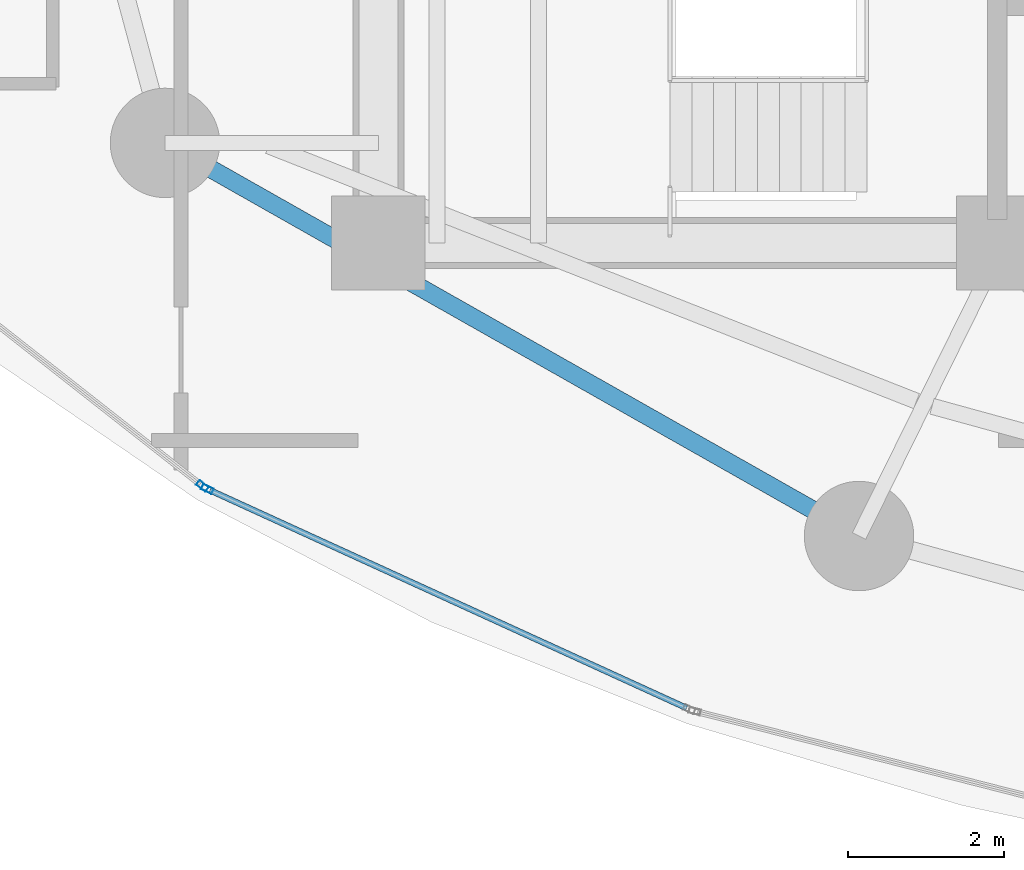
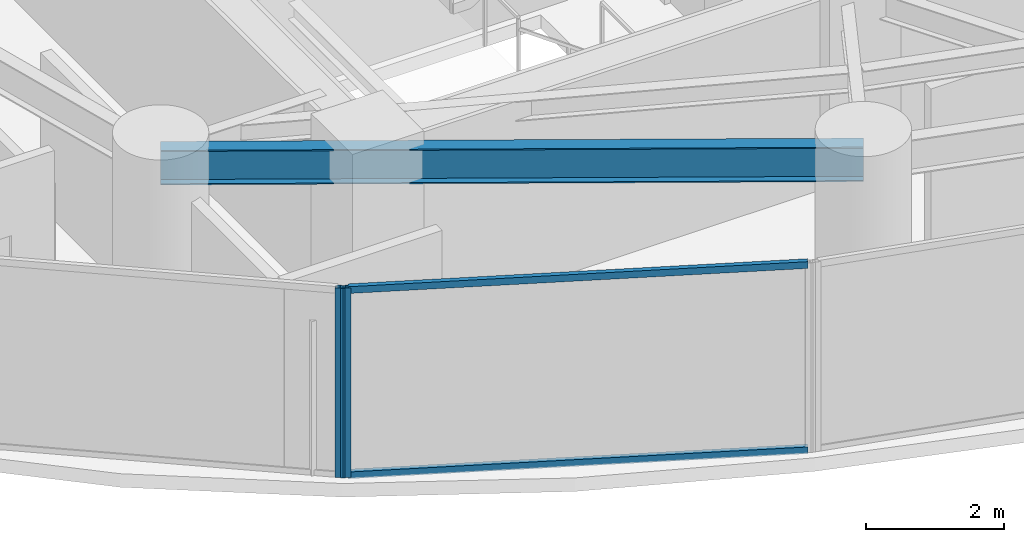
# One storey, part 2 of 32: 4 members, 1 beam, 2 elements without a shape of their own.
"""IFC4 building model written with IfcOpenShell, lengths in metres."""

from ifc_helpers import new_model, si_unit, direction, frame, origin, origin_2d, place, context, subcontext, project, spatial, hollow_rectangle, i_section, extrude, material, layer, layer_set, material_profile, profile_set, type_object, element, aggregate, save


model = new_model("IFC4")

# Units and contexts
model_context = context("Model", 3, precision=1e-05, world=origin(), true_north=direction((0.0, 1.0)))
body_context = subcontext(model_context, "Body", "Model", "MODEL_VIEW")
ifc_project = project(units=[si_unit("LENGTHUNIT", "METRE"), si_unit("AREAUNIT", "SQUARE_METRE"), si_unit("VOLUMEUNIT", "CUBIC_METRE"), si_unit("PLANEANGLEUNIT", "RADIAN"), si_unit("MASSUNIT", "GRAM", prefix="KILO")], contexts=[model_context])

# Site, building, storey
site_placement = place(None, origin())
site = spatial("IfcSite", under=ifc_project, at=site_placement, CompositionType="ELEMENT")
building_placement = place(site_placement, origin())
building = spatial("IfcBuilding", under=site, at=building_placement, Name="Kazevale Care Tower and Concert Hall", CompositionType="ELEMENT")
storey_placement = place(building_placement, frame((0.0, 0.0, 38.39990234375)))
storey = spatial("IfcBuildingStorey", under=building, at=storey_placement, Name="L09", CompositionType="ELEMENT", Elevation=38.39990234375)

# Curtain wall, member
ifc_material_1 = material(Name="Aluminium 6063-T6 and Low-E Glass", Category="aluminium")
ifc_layer = layer(ifc_material_1, 0.179931640625)
ifc_layer_set = layer_set([ifc_layer], Name="Aluminium 6063-T6 and Low-E Glass")
curtain_wall_type = type_object("IfcCurtainWallType", Name="Sheltered Concave Balcony Curtain Wall CW-5", PredefinedType="NOTDEFINED", material=ifc_layer_set)
curtain_wall_1_placement = place(storey_placement, origin())
curtain_wall_1 = element("IfcCurtainWall", 1, at=curtain_wall_1_placement, inside=storey, type_object=curtain_wall_type, Name="cw:L09:f09", PredefinedType="NOTDEFINED")
ifc_material_2 = material(Name="Aluminium 6063-T6", Category="aluminium")
ifc_material_profile_1 = material_profile(ifc_material_2, hollow_rectangle(XDim=0.074951171875, YDim=0.14990234375, WallThickness=0.00390625, at=origin_2d()), Name="ALU75x150x4")
ifc_profile_set_1 = profile_set([ifc_material_profile_1], Name="Aluminium 6063-T6")
member_type_1 = type_object("IfcMemberType", Name="CW-5 Mullion ALU75x150x4", PredefinedType="MULLION", material=ifc_profile_set_1)
member_1_placement = place(storey_placement, frame((19.81201171875, 20.451416015625, 0.0), z_axis=(0.0, 0.0, 1.0), x_axis=(-0.415659767773, -0.909520179795, 0.0)))
member_1 = element("IfcMember", 2, at=member_1_placement, type_object=member_type_1, Name="CW-5 mullion 2", PredefinedType="MULLION", context=body_context, shape_type="SweptSolid", body=[
    extrude(hollow_rectangle(XDim=0.074951171875, YDim=0.14990234375, WallThickness=0.00390625, at=origin_2d()), origin(), (0.0, 0.0, 1.0), 3.360107421875),
])

curtain_wall_2_placement = place(storey_placement, origin())
curtain_wall_2 = element("IfcCurtainWall", 3, at=curtain_wall_2_placement, inside=storey, type_object=curtain_wall_type, Name="cw:L09:f10", PredefinedType="NOTDEFINED")
member_2_placement = place(storey_placement, frame((19.74853515625, 20.490234375, 0.0), z_axis=(0.0, 0.0, 1.0), x_axis=(-0.617807548814, -0.78632934107, 0.0)))
member_2 = element("IfcMember", 4, at=member_2_placement, type_object=member_type_1, Name="CW-5 mullion 1", PredefinedType="MULLION", context=body_context, shape_type="SweptSolid", body=[
    extrude(hollow_rectangle(XDim=0.074951171875, YDim=0.14990234375, WallThickness=0.00390625, at=origin_2d()), origin(), (0.0, 0.0, 1.0), 3.360107421875),
])
aggregate(curtain_wall_2, [member_2])

# Member
ifc_material_profile_2 = material_profile(ifc_material_2, hollow_rectangle(XDim=0.074951171875, YDim=0.1201171875, WallThickness=0.00390625, at=origin_2d()), Name="ALU75x120x4")
ifc_profile_set_2 = profile_set([ifc_material_profile_2], Name="Aluminium 6063-T6")
member_type_2 = type_object("IfcMemberType", Name="CW-5 Transom ALU75x120x4", PredefinedType="USERDEFINED", material=ifc_profile_set_2)
member_3_placement = place(storey_placement, frame((25.94384765625, 17.649169921875, 0.03759765625), z_axis=(-0.909524040017, 0.415651320978, 0.0), x_axis=(-0.415651320978, -0.909524040017, 0.0)))
member_3 = element("IfcMember", 5, at=member_3_placement, type_object=member_type_2, Name="CW-5 transom 1.1", ObjectType="TRANSOM", PredefinedType="USERDEFINED", context=body_context, shape_type="SweptSolid", body=[
    extrude(hollow_rectangle(XDim=0.074951171875, YDim=0.1201171875, WallThickness=0.00390625, at=origin_2d()), origin(), (0.0, 0.0, 1.0), 6.704345703125),
])

member_4_placement = place(storey_placement, frame((25.94384765625, 17.649169921875, 3.322509765625), z_axis=(-0.909524040017, 0.415651320978, 0.0), x_axis=(-0.415651320978, -0.909524040017, 0.0)))
member_4 = element("IfcMember", 6, at=member_4_placement, type_object=member_type_2, Name="CW-5 transom 1.2", ObjectType="TRANSOM", PredefinedType="USERDEFINED", context=body_context, shape_type="SweptSolid", body=[
    extrude(hollow_rectangle(XDim=0.074951171875, YDim=0.1201171875, WallThickness=0.00390625, at=origin_2d()), origin(), (0.0, 0.0, 1.0), 6.704345703125),
])

aggregate(curtain_wall_1, [member_1, member_3, member_4])

# Beam
ifc_material_3 = material(Name="Steel ASTM A572 Gr 50", Category="steel")
ifc_material_profile_3 = material_profile(ifc_material_3, i_section(OverallWidth=0.22900390625, OverallDepth=0.612060546875, WebThickness=0.011962890625, FlangeThickness=0.01953125, at=origin_2d()), Name="W610x125")
ifc_profile_set_3 = profile_set([ifc_material_profile_3], Name="Steel ASTM A572 Gr 50")
beam_type = type_object("IfcBeamType", Name="Ring Spandrel Beam W610x125", PredefinedType="SPANDREL", material=ifc_profile_set_3)
beam_placement = place(storey_placement, frame((19.27001953125, 24.8798828125, 3.05419921875), z_axis=(0.870112469479, -0.492853213906, 0.0), x_axis=(0.492853213906, 0.870112469479, 0.0)))
element("IfcBeam", 7, at=beam_placement, inside=storey, type_object=beam_type, Name="beam:L09:ring:10", PredefinedType="SPANDREL", context=body_context, shape_type="SweptSolid", body=[
    extrude(i_section(OverallWidth=0.22900390625, OverallDepth=0.612060546875, WebThickness=0.011962890625, FlangeThickness=0.01953125, at=origin_2d()), origin(), (0.0, 0.0, 1.0), 10.205322265625),
])

save(model, "model.ifc")
